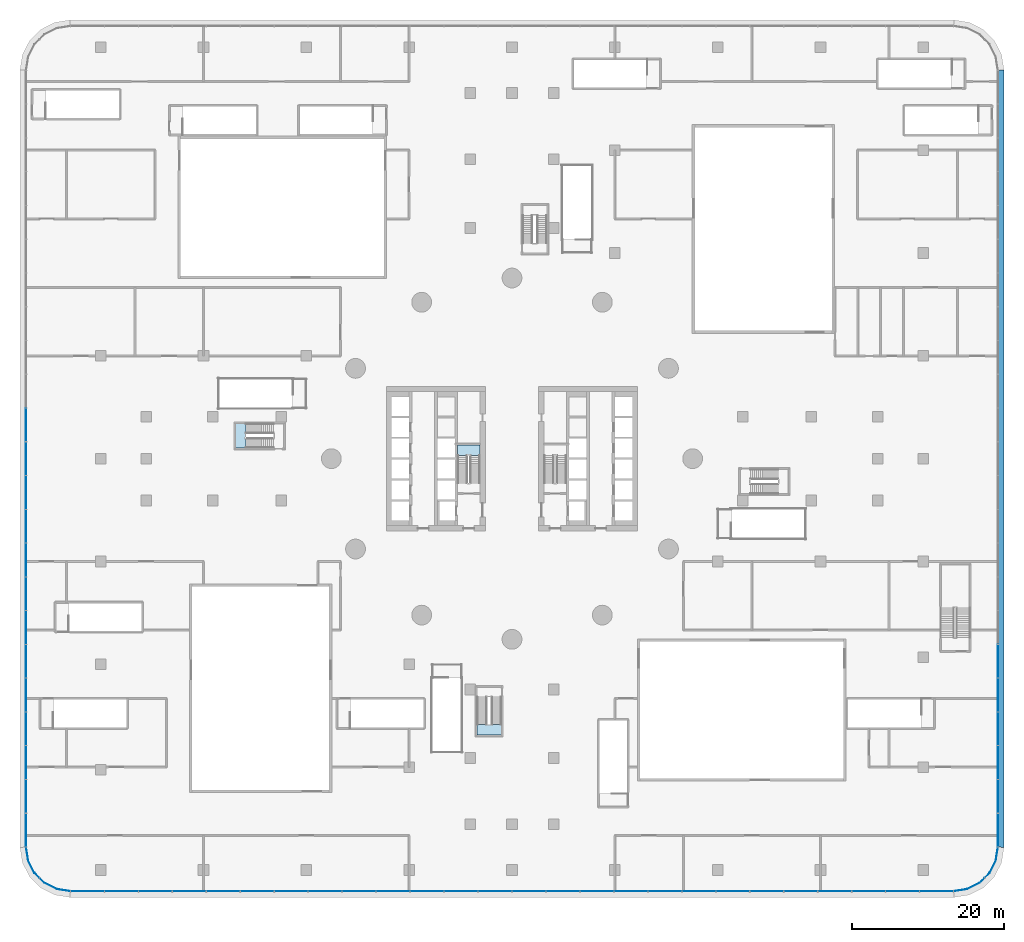
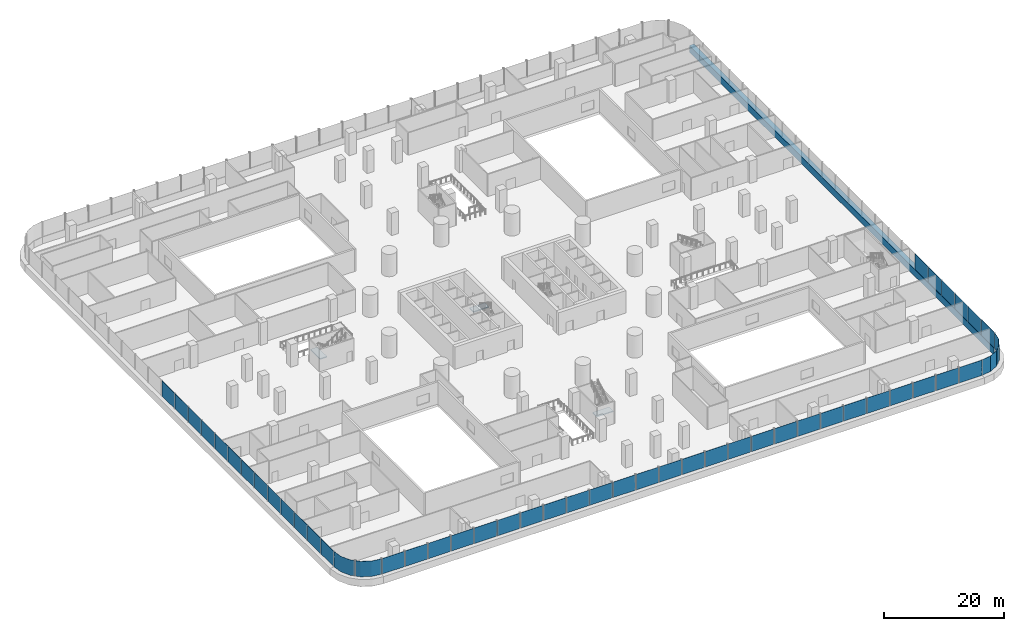
# One storey, part 20 of 38: 49 plates, 3 slabs, 1 member, 8 elements without a shape of their own.
"""IFC4 building model written with IfcOpenShell, lengths in metres."""

import ifcopenshell
import ifcopenshell.guid

model = None  # the IFC model being written
_history = None  # IfcOwnerHistory: only IFC2X3 demands one
_inside = {}  # id of a spatial element -> (the spatial element, [elements in it])
_under = {}  # id of a project, library or spatial element -> (it, [spatial elements below it])
_declared = {}  # id of a project -> (the project, [libraries it declares])
_typed = {}  # id of a type object -> (the type object, [elements of that type])
_made_of = {}  # id of a material, layer set ... -> (it, [elements and type objects made of it])


def new_model(schema):
    """Start an empty IFC model of exactly this schema.

    Asked for "IFC4X3", IfcOpenShell would pick the latest addendum, in which some entities
    have other attributes; the version numbers below select the first issue.
    IFC2X3 requires an IfcOwnerHistory on every rooted entity: one is made here for all.
    """
    global model, _history
    if schema == "IFC4X3":
        model = ifcopenshell.file(schema_version=(4, 3, 0, 0))
    else:
        model = ifcopenshell.file(schema=schema)
    _inside.clear()
    _under.clear()
    _declared.clear()
    _typed.clear()
    _made_of.clear()
    _history = None
    if model.schema == "IFC2X3":
        org = make("IfcOrganization", Name="unknown")
        user = make(
            "IfcPersonAndOrganization",
            ThePerson=make("IfcPerson", FamilyName="unknown"),
            TheOrganization=org,
        )
        app = make(
            "IfcApplication",
            ApplicationDeveloper=org,
            Version="unknown",
            ApplicationFullName="unknown",
            ApplicationIdentifier="unknown",
        )
        _history = make(
            "IfcOwnerHistory",
            OwningUser=user,
            OwningApplication=app,
            ChangeAction="ADDED",
            CreationDate=0,
        )
    return model


def make(cls, **values):
    """One entity of the class cls with the attributes given. An attribute that is None is left unset."""
    return model.create_entity(
        cls, **{name: value for name, value in values.items() if value is not None}
    )


def rooted(cls, **values):
    """An entity with a GlobalId (a new one), such as an element, a storey or a relation."""
    return make(cls, GlobalId=ifcopenshell.guid.new(), OwnerHistory=_history, **values)


def si_unit(unit_type, name, prefix=None):
    """IfcSIUnit, for example si_unit("LENGTHUNIT", "METRE", prefix="MILLI")."""
    return make("IfcSIUnit", UnitType=unit_type, Prefix=prefix, Name=name)


def assignment(units):
    """IfcUnitAssignment: the units of a project."""
    return None if units is None else make("IfcUnitAssignment", Units=units)


def point(xyz):
    """IfcCartesianPoint."""
    return None if xyz is None else make("IfcCartesianPoint", Coordinates=xyz)


def direction(xyz):
    """IfcDirection."""
    return None if xyz is None else make("IfcDirection", DirectionRatios=xyz)


def frame(location, z_axis=None, x_axis=None):
    """IfcAxis2Placement3D, a coordinate frame: its origin and axes. An axis left out is left unset."""
    return make(
        "IfcAxis2Placement3D",
        Location=point(location),
        Axis=direction(z_axis),
        RefDirection=direction(x_axis),
    )


def origin():
    """The frame at (0, 0, 0) with its axes left unset."""
    return frame((0.0, 0.0, 0.0))


def place(relative_to, where):
    """IfcLocalPlacement: puts the frame where relative to a parent placement (None: the world)."""
    return make(
        "IfcLocalPlacement", PlacementRelTo=relative_to, RelativePlacement=where
    )


def context(
    kind, dimensions, precision=None, world=None, true_north=None, identifier=None
):
    """IfcGeometricRepresentationContext, for example the 3D "Model" context."""
    return make(
        "IfcGeometricRepresentationContext",
        ContextIdentifier=identifier,
        ContextType=kind,
        CoordinateSpaceDimension=dimensions,
        Precision=precision,
        WorldCoordinateSystem=world,
        TrueNorth=true_north,
    )


def subcontext(parent, identifier, kind, view, scale=None):
    """IfcGeometricRepresentationSubContext, for example "Body" below "Model"."""
    return make(
        "IfcGeometricRepresentationSubContext",
        ContextIdentifier=identifier,
        ContextType=kind,
        ParentContext=parent,
        TargetScale=scale,
        TargetView=view,
    )


def project(units=None, contexts=None):
    """IfcProject with its units and contexts."""
    return rooted(
        "IfcProject",
        Name="project",
        RepresentationContexts=contexts,
        UnitsInContext=assignment(units),
    )


def spatial(cls, under=None, at=None, **own):
    """A site, building, storey or space (cls), placed at a placement, below another one or the project."""
    s = rooted(cls, ObjectPlacement=at, **own)
    if under is not None:
        _under.setdefault(under.id(), (under, []))[1].append(s)
    return s


def polyline(points):
    """IfcPolyline through the points."""
    return make("IfcPolyline", Points=[point(p) for p in points])


def outline(outer, holes=None, kind="AREA"):
    """IfcArbitraryClosedProfileDef: a profile drawn as a closed curve; with holes, ...WithVoids."""
    if holes is None:
        return make("IfcArbitraryClosedProfileDef", ProfileType=kind, OuterCurve=outer)
    return make(
        "IfcArbitraryProfileDefWithVoids",
        ProfileType=kind,
        OuterCurve=outer,
        InnerCurves=holes,
    )


def extrude(swept, where, along, depth):
    """IfcExtrudedAreaSolid: the profile swept, set in the frame where, extruded along a direction by depth."""
    return make(
        "IfcExtrudedAreaSolid",
        SweptArea=swept,
        Position=where,
        ExtrudedDirection=direction(along),
        Depth=depth,
    )


def shape(context_of_items, identifier, shape_type, items):
    """IfcShapeRepresentation: the items that make up one representation, for example the "Body"."""
    return make(
        "IfcShapeRepresentation",
        ContextOfItems=context_of_items,
        RepresentationIdentifier=identifier,
        RepresentationType=shape_type,
        Items=items,
    )


def material(Name=None, Category=None):
    """IfcMaterial."""
    return make("IfcMaterial", Name=Name, Category=Category)


def layer(
    of_material, thickness, ventilated=None, Name=None, Category=None, Priority=None
):
    """IfcMaterialLayer: one layer of a wall or slab, of a material (None: an air gap)."""
    return make(
        "IfcMaterialLayer",
        Material=of_material,
        LayerThickness=thickness,
        IsVentilated=ventilated,
        Name=Name,
        Category=Category,
        Priority=Priority,
    )


def layer_set(layers, Name=None):
    """IfcMaterialLayerSet."""
    return make("IfcMaterialLayerSet", MaterialLayers=layers, LayerSetName=Name)


def made_of(thing, what):
    """Note that an element or type object is made of a material, layer set ...; save() writes the relation."""
    if what is not None:
        _made_of.setdefault(what.id(), (what, []))[1].append(thing)
    return thing


def type_object(cls, material=None, **own):
    """A type object (cls), such as IfcWallType, which elements share."""
    return made_of(rooted(cls, **own), material)


def element(
    cls,
    number,
    at=None,
    inside=None,
    cuts=None,
    type_object=None,
    material=None,
    context=None,
    identifier="Body",
    shape_type=None,
    held_by="IfcProductDefinitionShape",
    body=None,
    shapes=None,
    **own,
):
    """One element of the class cls, such as IfcWall. Its Tag is "e" and its number.

    at: its placement. inside: the storey or other place that contains it. cuts: it is an
    opening in that element (IfcRelVoidsElement). A single representation is given by context,
    identifier, shape_type and body (its items); several are given by shapes. held_by: the class
    of the entity that holds the representations. save() writes the other relations.
    """
    e = rooted(cls, Tag="e%d" % number, ObjectPlacement=at, **own)
    if body is not None:
        shapes = [shape(context, identifier, shape_type, body)]
    if shapes is not None:
        e.Representation = make(held_by, Representations=shapes)
    if inside is not None:
        _inside.setdefault(inside.id(), (inside, []))[1].append(e)
    if cuts is not None:
        rooted(
            "IfcRelVoidsElement", RelatingBuildingElement=cuts, RelatedOpeningElement=e
        )
    if type_object is not None:
        _typed.setdefault(type_object.id(), (type_object, []))[1].append(e)
    return made_of(e, material)


def aggregate(whole, parts):
    """IfcRelAggregates: a whole, such as a stair, and the parts it consists of."""
    return rooted("IfcRelAggregates", RelatingObject=whole, RelatedObjects=parts)


def save(model, path):
    """Write the relations noted so far, then the file.

    IfcRelAggregates (storeys below a building ...), IfcRelContainedInSpatialStructure (elements
    in a storey), IfcRelDefinesByType, IfcRelAssociatesMaterial and IfcRelDeclares: one each for
    every whole, place, type object, material and project.
    """
    for whole, parts in _under.values():
        aggregate(whole, parts)
    for where, things in _inside.values():
        rooted(
            "IfcRelContainedInSpatialStructure",
            RelatedElements=things,
            RelatingStructure=where,
        )
    for kind, things in _typed.values():
        rooted("IfcRelDefinesByType", RelatedObjects=things, RelatingType=kind)
    for what, things in _made_of.values():
        rooted("IfcRelAssociatesMaterial", RelatedObjects=things, RelatingMaterial=what)
    for by, libraries in _declared.values():
        rooted("IfcRelDeclares", RelatingContext=by, RelatedDefinitions=libraries)
    model.write(path)


model = new_model("IFC4")

# Units and contexts
model_context = context("Model", 3, precision=1e-05, world=origin(), true_north=direction((0.0, 1.0)))
body_context = subcontext(model_context, "Body", "Model", "MODEL_VIEW")
ifc_project = project(units=[si_unit("LENGTHUNIT", "METRE"), si_unit("AREAUNIT", "SQUARE_METRE"), si_unit("VOLUMEUNIT", "CUBIC_METRE"), si_unit("PLANEANGLEUNIT", "RADIAN"), si_unit("MASSUNIT", "GRAM", prefix="KILO")], contexts=[model_context])

# Site, building, storey
site_placement = place(None, origin())
site = spatial("IfcSite", under=ifc_project, at=site_placement, CompositionType="ELEMENT")
building_placement = place(site_placement, origin())
building = spatial("IfcBuilding", under=site, at=building_placement, Name="Tamarind Cross Interchange Tower", CompositionType="ELEMENT")
storey_placement = place(building_placement, frame((0.0, 0.0, 20.0)))
storey = spatial("IfcBuildingStorey", under=building, at=storey_placement, Name="L03", CompositionType="ELEMENT", Elevation=20.0)

# Curtain wall, member
ifc_material_1 = material(Name="Aluminium 6063-T6", Category="aluminium")
ifc_layer_1 = layer(ifc_material_1, 0.199951171875)
ifc_layer_set_1 = layer_set([ifc_layer_1], Name="Aluminium 6063-T6")
curtain_wall_type = type_object("IfcCurtainWallType", Name="Podium shopfront and station curtain wall", PredefinedType="NOTDEFINED", material=ifc_layer_set_1)
curtain_wall_1_placement = place(storey_placement, origin())
curtain_wall_1 = element("IfcCurtainWall", 1, at=curtain_wall_1_placement, inside=storey, type_object=curtain_wall_type, Name="CWS-L03-00", PredefinedType="NOTDEFINED")
ifc_material_2 = material(Name="Aluminium and insulated spandrel panel", Category="aluminium")
member_type = type_object("IfcMemberType", Name="Floor-edge blade transom", PredefinedType="USERDEFINED", material=ifc_material_2)
member_placement = place(storey_placement, origin())
member = element("IfcMember", 2, at=member_placement, type_object=member_type, Name="CWT-L03-00", ObjectType="TRANSOM", PredefinedType="USERDEFINED", context=body_context, shape_type="SweptSolid", body=[
    extrude(outline(polyline([(63.699951171875, -50.976318359375), (63.699951171875, 50.976318359375), (64.60009765625, 51.047119140625), (64.60009765625, -51.047119140625), (63.699951171875, -50.976318359375)])), origin(), (0.0, 0.0, 1.0), 1.39990234375),
])

# Stair, slab
ifc_material_3 = material(Name="Exit stair")
stair_type = type_object("IfcStairType", Name="Exit stair", PredefinedType="HALF_TURN_STAIR", material=ifc_material_3)
stair_1_placement = place(storey_placement, origin())
stair_1 = element("IfcStair", 3, at=stair_1_placement, inside=storey, type_object=stair_type, Name="L03 exit stair ST1", PredefinedType="HALF_TURN_STAIR")
ifc_material_4 = material(Name="Concrete C40", Category="concrete")
ifc_layer_2 = layer(ifc_material_4, 0.199951171875)
ifc_layer_set_2 = layer_set([ifc_layer_2], Name="Concrete C40")
slab_type = type_object("IfcSlabType", Name="Stair landing", PredefinedType="LANDING", material=ifc_layer_set_2)
slab_1_placement = place(storey_placement, frame((0.0, 0.0, 2.300048828125)))
slab_1 = element("IfcSlab", 4, at=slab_1_placement, type_object=slab_type, Name="ST1 landing 1", PredefinedType="LANDING", context=body_context, shape_type="SweptSolid", body=[
    extrude(outline(polyline([(-4.199951171875, 0.43994140625), (-4.199951171875, 1.800048828125), (-7.14990234375, 1.800048828125), (-7.14990234375, 0.43994140625), (-4.199951171875, 0.43994140625)])), origin(), (0.0, 0.0, 1.0), 0.199951171875),
])
aggregate(stair_1, [slab_1])

stair_2_placement = place(storey_placement, origin())
stair_2 = element("IfcStair", 5, at=stair_2_placement, inside=storey, type_object=stair_type, Name="L03 exit stair ST5", PredefinedType="HALF_TURN_STAIR")
slab_2_placement = place(storey_placement, frame((0.0, 0.0, 2.300048828125)))
slab_2 = element("IfcSlab", 6, at=slab_2_placement, type_object=slab_type, Name="ST5 landing 1", PredefinedType="LANDING", context=body_context, shape_type="SweptSolid", body=[
    extrude(outline(polyline([(-34.927978515625, 4.60009765625), (-36.300048828125, 4.60009765625), (-36.300048828125, 1.39990234375), (-34.927978515625, 1.39990234375), (-34.927978515625, 4.60009765625)])), origin(), (0.0, 0.0, 1.0), 0.199951171875),
])
aggregate(stair_2, [slab_2])

stair_3_placement = place(storey_placement, origin())
stair_3 = element("IfcStair", 7, at=stair_3_placement, inside=storey, type_object=stair_type, Name="L03 exit stair ST6", PredefinedType="HALF_TURN_STAIR")
slab_3_placement = place(storey_placement, frame((0.0, 0.0, 2.300048828125)))
slab_3 = element("IfcSlab", 8, at=slab_3_placement, type_object=slab_type, Name="ST6 landing 1", PredefinedType="LANDING", context=body_context, shape_type="SweptSolid", body=[
    extrude(outline(polyline([(-4.60009765625, -34.927978515625), (-4.60009765625, -36.300048828125), (-1.39990234375, -36.300048828125), (-1.39990234375, -34.927978515625), (-4.60009765625, -34.927978515625)])), origin(), (0.0, 0.0, 1.0), 0.199951171875),
])
aggregate(stair_3, [slab_3])

# Plate
ifc_material_5 = material(Name="Toughened low-e glass 10+12+10", Category="glass")
ifc_layer_3 = layer(ifc_material_5, 0.031982421875)
ifc_layer_set_3 = layer_set([ifc_layer_3], Name="Toughened low-e glass 10+12+10")
plate_type = type_object("IfcPlateType", Name="Vision panel CW3", PredefinedType="CURTAIN_PANEL", material=ifc_layer_set_3)
plate_1_placement = place(storey_placement, frame((0.0, 0.0, 1.39990234375)))
plate_1 = element("IfcPlate", 9, at=plate_1_placement, type_object=plate_type, Name="CWP-L03-00-00", PredefinedType="CURTAIN_PANEL", context=body_context, shape_type="SweptSolid", body=[
    extrude(outline(polyline([(63.783935546875, -50.9443359375), (63.783935546875, -46.5908203125), (63.81591796875, -46.5908203125), (63.81591796875, -50.9443359375), (63.783935546875, -50.9443359375)])), origin(), (0.0, 0.0, 1.0), 3.150146484375),
])

plate_2_placement = place(storey_placement, frame((0.0, 0.0, 1.39990234375)))
plate_2 = element("IfcPlate", 10, at=plate_2_placement, type_object=plate_type, Name="CWP-L03-00-01", PredefinedType="CURTAIN_PANEL", context=body_context, shape_type="SweptSolid", body=[
    extrude(outline(polyline([(63.783935546875, -46.5107421875), (63.783935546875, -42.157470703125), (63.81591796875, -42.157470703125), (63.81591796875, -46.5107421875), (63.783935546875, -46.5107421875)])), origin(), (0.0, 0.0, 1.0), 3.150146484375),
])

plate_3_placement = place(storey_placement, frame((0.0, 0.0, 1.39990234375)))
plate_3 = element("IfcPlate", 11, at=plate_3_placement, type_object=plate_type, Name="CWP-L03-00-02", PredefinedType="CURTAIN_PANEL", context=body_context, shape_type="SweptSolid", body=[
    extrude(outline(polyline([(63.783935546875, -42.077392578125), (63.783935546875, -37.72412109375), (63.81591796875, -37.72412109375), (63.81591796875, -42.077392578125), (63.783935546875, -42.077392578125)])), origin(), (0.0, 0.0, 1.0), 3.150146484375),
])

plate_4_placement = place(storey_placement, frame((0.0, 0.0, 1.39990234375)))
plate_4 = element("IfcPlate", 12, at=plate_4_placement, type_object=plate_type, Name="CWP-L03-00-03", PredefinedType="CURTAIN_PANEL", context=body_context, shape_type="SweptSolid", body=[
    extrude(outline(polyline([(63.783935546875, -37.64404296875), (63.783935546875, -33.29052734375), (63.81591796875, -33.29052734375), (63.81591796875, -37.64404296875), (63.783935546875, -37.64404296875)])), origin(), (0.0, 0.0, 1.0), 3.150146484375),
])

plate_5_placement = place(storey_placement, frame((0.0, 0.0, 1.39990234375)))
plate_5 = element("IfcPlate", 13, at=plate_5_placement, type_object=plate_type, Name="CWP-L03-00-04", PredefinedType="CURTAIN_PANEL", context=body_context, shape_type="SweptSolid", body=[
    extrude(outline(polyline([(63.783935546875, -33.210693359375), (63.783935546875, -28.857177734375), (63.81591796875, -28.857177734375), (63.81591796875, -33.210693359375), (63.783935546875, -33.210693359375)])), origin(), (0.0, 0.0, 1.0), 3.150146484375),
])

plate_6_placement = place(storey_placement, frame((0.0, 0.0, 1.39990234375)))
plate_6 = element("IfcPlate", 14, at=plate_6_placement, type_object=plate_type, Name="CWP-L03-00-05", PredefinedType="CURTAIN_PANEL", context=body_context, shape_type="SweptSolid", body=[
    extrude(outline(polyline([(63.783935546875, -28.777099609375), (63.783935546875, -24.423828125), (63.81591796875, -24.423828125), (63.81591796875, -28.777099609375), (63.783935546875, -28.777099609375)])), origin(), (0.0, 0.0, 1.0), 3.150146484375),
])

aggregate(curtain_wall_1, [plate_1, plate_2, plate_3, plate_4, plate_5, plate_6, member])

# Curtain wall, plates
curtain_wall_2_placement = place(storey_placement, origin())
curtain_wall_2 = element("IfcCurtainWall", 15, at=curtain_wall_2_placement, inside=storey, type_object=curtain_wall_type, Name="CWS-L03-04", PredefinedType="NOTDEFINED")
plate_7_placement = place(storey_placement, frame((0.0, 0.0, 1.39990234375)))
plate_7 = element("IfcPlate", 16, at=plate_7_placement, type_object=plate_type, Name="CWP-L03-04-10", PredefinedType="CURTAIN_PANEL", context=body_context, shape_type="SweptSolid", body=[
    extrude(outline(polyline([(-63.783935546875, 6.610107421875), (-63.783935546875, 2.256591796875), (-63.81591796875, 2.256591796875), (-63.81591796875, 6.610107421875), (-63.783935546875, 6.610107421875)])), origin(), (0.0, 0.0, 1.0), 3.150146484375),
])
plate_8_placement = place(storey_placement, frame((0.0, 0.0, 1.39990234375)))
plate_8 = element("IfcPlate", 17, at=plate_8_placement, type_object=plate_type, Name="CWP-L03-04-11", PredefinedType="CURTAIN_PANEL", context=body_context, shape_type="SweptSolid", body=[
    extrude(outline(polyline([(-63.783935546875, 2.1767578125), (-63.783935546875, -2.1767578125), (-63.81591796875, -2.1767578125), (-63.81591796875, 2.1767578125), (-63.783935546875, 2.1767578125)])), origin(), (0.0, 0.0, 1.0), 3.150146484375),
])
plate_9_placement = place(storey_placement, frame((0.0, 0.0, 1.39990234375)))
plate_9 = element("IfcPlate", 18, at=plate_9_placement, type_object=plate_type, Name="CWP-L03-04-12", PredefinedType="CURTAIN_PANEL", context=body_context, shape_type="SweptSolid", body=[
    extrude(outline(polyline([(-63.783935546875, -2.256591796875), (-63.783935546875, -6.610107421875), (-63.81591796875, -6.610107421875), (-63.81591796875, -2.256591796875), (-63.783935546875, -2.256591796875)])), origin(), (0.0, 0.0, 1.0), 3.150146484375),
])
plate_10_placement = place(storey_placement, frame((0.0, 0.0, 1.39990234375)))
plate_10 = element("IfcPlate", 19, at=plate_10_placement, type_object=plate_type, Name="CWP-L03-04-13", PredefinedType="CURTAIN_PANEL", context=body_context, shape_type="SweptSolid", body=[
    extrude(outline(polyline([(-63.783935546875, -6.690185546875), (-63.783935546875, -11.04345703125), (-63.81591796875, -11.04345703125), (-63.81591796875, -6.690185546875), (-63.783935546875, -6.690185546875)])), origin(), (0.0, 0.0, 1.0), 3.150146484375),
])
plate_11_placement = place(storey_placement, frame((0.0, 0.0, 1.39990234375)))
plate_11 = element("IfcPlate", 20, at=plate_11_placement, type_object=plate_type, Name="CWP-L03-04-14", PredefinedType="CURTAIN_PANEL", context=body_context, shape_type="SweptSolid", body=[
    extrude(outline(polyline([(-63.783935546875, -11.12353515625), (-63.783935546875, -15.47705078125), (-63.81591796875, -15.47705078125), (-63.81591796875, -11.12353515625), (-63.783935546875, -11.12353515625)])), origin(), (0.0, 0.0, 1.0), 3.150146484375),
])
plate_12_placement = place(storey_placement, frame((0.0, 0.0, 1.39990234375)))
plate_12 = element("IfcPlate", 21, at=plate_12_placement, type_object=plate_type, Name="CWP-L03-04-15", PredefinedType="CURTAIN_PANEL", context=body_context, shape_type="SweptSolid", body=[
    extrude(outline(polyline([(-63.783935546875, -15.556884765625), (-63.783935546875, -19.910400390625), (-63.81591796875, -19.910400390625), (-63.81591796875, -15.556884765625), (-63.783935546875, -15.556884765625)])), origin(), (0.0, 0.0, 1.0), 3.150146484375),
])
plate_13_placement = place(storey_placement, frame((0.0, 0.0, 1.39990234375)))
plate_13 = element("IfcPlate", 22, at=plate_13_placement, type_object=plate_type, Name="CWP-L03-04-16", PredefinedType="CURTAIN_PANEL", context=body_context, shape_type="SweptSolid", body=[
    extrude(outline(polyline([(-63.783935546875, -19.990478515625), (-63.783935546875, -24.34375), (-63.81591796875, -24.34375), (-63.81591796875, -19.990478515625), (-63.783935546875, -19.990478515625)])), origin(), (0.0, 0.0, 1.0), 3.150146484375),
])
plate_14_placement = place(storey_placement, frame((0.0, 0.0, 1.39990234375)))
plate_14 = element("IfcPlate", 23, at=plate_14_placement, type_object=plate_type, Name="CWP-L03-04-17", PredefinedType="CURTAIN_PANEL", context=body_context, shape_type="SweptSolid", body=[
    extrude(outline(polyline([(-63.783935546875, -24.423828125), (-63.783935546875, -28.777099609375), (-63.81591796875, -28.777099609375), (-63.81591796875, -24.423828125), (-63.783935546875, -24.423828125)])), origin(), (0.0, 0.0, 1.0), 3.150146484375),
])
plate_15_placement = place(storey_placement, frame((0.0, 0.0, 1.39990234375)))
plate_15 = element("IfcPlate", 24, at=plate_15_placement, type_object=plate_type, Name="CWP-L03-04-18", PredefinedType="CURTAIN_PANEL", context=body_context, shape_type="SweptSolid", body=[
    extrude(outline(polyline([(-63.783935546875, -28.857177734375), (-63.783935546875, -33.210693359375), (-63.81591796875, -33.210693359375), (-63.81591796875, -28.857177734375), (-63.783935546875, -28.857177734375)])), origin(), (0.0, 0.0, 1.0), 3.150146484375),
])
plate_16_placement = place(storey_placement, frame((0.0, 0.0, 1.39990234375)))
plate_16 = element("IfcPlate", 25, at=plate_16_placement, type_object=plate_type, Name="CWP-L03-04-19", PredefinedType="CURTAIN_PANEL", context=body_context, shape_type="SweptSolid", body=[
    extrude(outline(polyline([(-63.783935546875, -33.29052734375), (-63.783935546875, -37.64404296875), (-63.81591796875, -37.64404296875), (-63.81591796875, -33.29052734375), (-63.783935546875, -33.29052734375)])), origin(), (0.0, 0.0, 1.0), 3.150146484375),
])
plate_17_placement = place(storey_placement, frame((0.0, 0.0, 1.39990234375)))
plate_17 = element("IfcPlate", 26, at=plate_17_placement, type_object=plate_type, Name="CWP-L03-04-20", PredefinedType="CURTAIN_PANEL", context=body_context, shape_type="SweptSolid", body=[
    extrude(outline(polyline([(-63.783935546875, -37.72412109375), (-63.783935546875, -42.077392578125), (-63.81591796875, -42.077392578125), (-63.81591796875, -37.72412109375), (-63.783935546875, -37.72412109375)])), origin(), (0.0, 0.0, 1.0), 3.150146484375),
])
plate_18_placement = place(storey_placement, frame((0.0, 0.0, 1.39990234375)))
plate_18 = element("IfcPlate", 27, at=plate_18_placement, type_object=plate_type, Name="CWP-L03-04-21", PredefinedType="CURTAIN_PANEL", context=body_context, shape_type="SweptSolid", body=[
    extrude(outline(polyline([(-63.783935546875, -42.157470703125), (-63.783935546875, -46.5107421875), (-63.81591796875, -46.5107421875), (-63.81591796875, -42.157470703125), (-63.783935546875, -42.157470703125)])), origin(), (0.0, 0.0, 1.0), 3.150146484375),
])
plate_19_placement = place(storey_placement, frame((0.0, 0.0, 1.39990234375)))
plate_19 = element("IfcPlate", 28, at=plate_19_placement, type_object=plate_type, Name="CWP-L03-04-22", PredefinedType="CURTAIN_PANEL", context=body_context, shape_type="SweptSolid", body=[
    extrude(outline(polyline([(-63.783935546875, -46.5908203125), (-63.783935546875, -50.9443359375), (-63.81591796875, -50.9443359375), (-63.81591796875, -46.5908203125), (-63.783935546875, -46.5908203125)])), origin(), (0.0, 0.0, 1.0), 3.150146484375),
])
aggregate(curtain_wall_2, [plate_7, plate_8, plate_9, plate_10, plate_11, plate_12, plate_13, plate_14, plate_15, plate_16, plate_17, plate_18, plate_19])

curtain_wall_3_placement = place(storey_placement, origin())
curtain_wall_3 = element("IfcCurtainWall", 29, at=curtain_wall_3_placement, inside=storey, type_object=curtain_wall_type, Name="CWS-L03-05", PredefinedType="NOTDEFINED")
plate_20_placement = place(storey_placement, frame((0.0, 0.0, 1.39990234375)))
plate_20 = element("IfcPlate", 30, at=plate_20_placement, type_object=plate_type, Name="CWP-L03-05-00", PredefinedType="CURTAIN_PANEL", context=body_context, shape_type="SweptSolid", body=[
    extrude(outline(polyline([(-63.77783203125, -51.021240234375), (-63.498291015625, -52.78662109375), (-62.67724609375, -54.398193359375), (-62.06591796875, -55.00927734375), (-62.088623046875, -55.031982421875), (-62.703369140625, -54.417236328125), (-63.529052734375, -52.796630859375), (-63.8095703125, -51.0263671875), (-63.77783203125, -51.021240234375)])), origin(), (0.0, 0.0, 1.0), 3.150146484375),
])
plate_21_placement = place(storey_placement, frame((0.0, 0.0, 1.39990234375)))
plate_21 = element("IfcPlate", 31, at=plate_21_placement, type_object=plate_type, Name="CWP-L03-05-01", PredefinedType="CURTAIN_PANEL", context=body_context, shape_type="SweptSolid", body=[
    extrude(outline(polyline([(-62.00927734375, -55.06591796875), (-61.398193359375, -55.67724609375), (-59.78662109375, -56.498291015625), (-58.021240234375, -56.77783203125), (-58.0263671875, -56.8095703125), (-59.796630859375, -56.529052734375), (-61.417236328125, -55.703369140625), (-62.031982421875, -55.088623046875), (-62.00927734375, -55.06591796875)])), origin(), (0.0, 0.0, 1.0), 3.150146484375),
])
aggregate(curtain_wall_3, [plate_20, plate_21])

curtain_wall_4_placement = place(storey_placement, origin())
curtain_wall_4 = element("IfcCurtainWall", 32, at=curtain_wall_4_placement, inside=storey, type_object=curtain_wall_type, Name="CWS-L03-06", PredefinedType="NOTDEFINED")
plate_22_placement = place(storey_placement, frame((0.0, 0.0, 1.39990234375)))
plate_22 = element("IfcPlate", 33, at=plate_22_placement, type_object=plate_type, Name="CWP-L03-06-00", PredefinedType="CURTAIN_PANEL", context=body_context, shape_type="SweptSolid", body=[
    extrude(outline(polyline([(-57.9443359375, -56.783935546875), (-53.56396484375, -56.783935546875), (-53.56396484375, -56.81591796875), (-57.9443359375, -56.81591796875), (-57.9443359375, -56.783935546875)])), origin(), (0.0, 0.0, 1.0), 3.150146484375),
])
plate_23_placement = place(storey_placement, frame((0.0, 0.0, 1.39990234375)))
plate_23 = element("IfcPlate", 34, at=plate_23_placement, type_object=plate_type, Name="CWP-L03-06-01", PredefinedType="CURTAIN_PANEL", context=body_context, shape_type="SweptSolid", body=[
    extrude(outline(polyline([(-53.48388671875, -56.783935546875), (-49.103515625, -56.783935546875), (-49.103515625, -56.81591796875), (-53.48388671875, -56.81591796875), (-53.48388671875, -56.783935546875)])), origin(), (0.0, 0.0, 1.0), 3.150146484375),
])
plate_24_placement = place(storey_placement, frame((0.0, 0.0, 1.39990234375)))
plate_24 = element("IfcPlate", 35, at=plate_24_placement, type_object=plate_type, Name="CWP-L03-06-02", PredefinedType="CURTAIN_PANEL", context=body_context, shape_type="SweptSolid", body=[
    extrude(outline(polyline([(-49.023681640625, -56.783935546875), (-44.643310546875, -56.783935546875), (-44.643310546875, -56.81591796875), (-49.023681640625, -56.81591796875), (-49.023681640625, -56.783935546875)])), origin(), (0.0, 0.0, 1.0), 3.150146484375),
])
plate_25_placement = place(storey_placement, frame((0.0, 0.0, 1.39990234375)))
plate_25 = element("IfcPlate", 36, at=plate_25_placement, type_object=plate_type, Name="CWP-L03-06-03", PredefinedType="CURTAIN_PANEL", context=body_context, shape_type="SweptSolid", body=[
    extrude(outline(polyline([(-44.563232421875, -56.783935546875), (-40.182861328125, -56.783935546875), (-40.182861328125, -56.81591796875), (-44.563232421875, -56.81591796875), (-44.563232421875, -56.783935546875)])), origin(), (0.0, 0.0, 1.0), 3.150146484375),
])
plate_26_placement = place(storey_placement, frame((0.0, 0.0, 1.39990234375)))
plate_26 = element("IfcPlate", 37, at=plate_26_placement, type_object=plate_type, Name="CWP-L03-06-04", PredefinedType="CURTAIN_PANEL", context=body_context, shape_type="SweptSolid", body=[
    extrude(outline(polyline([(-40.10302734375, -56.783935546875), (-35.72265625, -56.783935546875), (-35.72265625, -56.81591796875), (-40.10302734375, -56.81591796875), (-40.10302734375, -56.783935546875)])), origin(), (0.0, 0.0, 1.0), 3.150146484375),
])
plate_27_placement = place(storey_placement, frame((0.0, 0.0, 1.39990234375)))
plate_27 = element("IfcPlate", 38, at=plate_27_placement, type_object=plate_type, Name="CWP-L03-06-05", PredefinedType="CURTAIN_PANEL", context=body_context, shape_type="SweptSolid", body=[
    extrude(outline(polyline([(-35.642578125, -56.783935546875), (-31.26220703125, -56.783935546875), (-31.26220703125, -56.81591796875), (-35.642578125, -56.81591796875), (-35.642578125, -56.783935546875)])), origin(), (0.0, 0.0, 1.0), 3.150146484375),
])
plate_28_placement = place(storey_placement, frame((0.0, 0.0, 1.39990234375)))
plate_28 = element("IfcPlate", 39, at=plate_28_placement, type_object=plate_type, Name="CWP-L03-06-06", PredefinedType="CURTAIN_PANEL", context=body_context, shape_type="SweptSolid", body=[
    extrude(outline(polyline([(-31.182373046875, -56.783935546875), (-26.802001953125, -56.783935546875), (-26.802001953125, -56.81591796875), (-31.182373046875, -56.81591796875), (-31.182373046875, -56.783935546875)])), origin(), (0.0, 0.0, 1.0), 3.150146484375),
])
plate_29_placement = place(storey_placement, frame((0.0, 0.0, 1.39990234375)))
plate_29 = element("IfcPlate", 40, at=plate_29_placement, type_object=plate_type, Name="CWP-L03-06-07", PredefinedType="CURTAIN_PANEL", context=body_context, shape_type="SweptSolid", body=[
    extrude(outline(polyline([(-26.721923828125, -56.783935546875), (-22.341552734375, -56.783935546875), (-22.341552734375, -56.81591796875), (-26.721923828125, -56.81591796875), (-26.721923828125, -56.783935546875)])), origin(), (0.0, 0.0, 1.0), 3.150146484375),
])
plate_30_placement = place(storey_placement, frame((0.0, 0.0, 1.39990234375)))
plate_30 = element("IfcPlate", 41, at=plate_30_placement, type_object=plate_type, Name="CWP-L03-06-08", PredefinedType="CURTAIN_PANEL", context=body_context, shape_type="SweptSolid", body=[
    extrude(outline(polyline([(-22.26171875, -56.783935546875), (-17.88134765625, -56.783935546875), (-17.88134765625, -56.81591796875), (-22.26171875, -56.81591796875), (-22.26171875, -56.783935546875)])), origin(), (0.0, 0.0, 1.0), 3.150146484375),
])
plate_31_placement = place(storey_placement, frame((0.0, 0.0, 1.39990234375)))
plate_31 = element("IfcPlate", 42, at=plate_31_placement, type_object=plate_type, Name="CWP-L03-06-09", PredefinedType="CURTAIN_PANEL", context=body_context, shape_type="SweptSolid", body=[
    extrude(outline(polyline([(-17.80126953125, -56.783935546875), (-13.4208984375, -56.783935546875), (-13.4208984375, -56.81591796875), (-17.80126953125, -56.81591796875), (-17.80126953125, -56.783935546875)])), origin(), (0.0, 0.0, 1.0), 3.150146484375),
])
plate_32_placement = place(storey_placement, frame((0.0, 0.0, 1.39990234375)))
plate_32 = element("IfcPlate", 43, at=plate_32_placement, type_object=plate_type, Name="CWP-L03-06-10", PredefinedType="CURTAIN_PANEL", context=body_context, shape_type="SweptSolid", body=[
    extrude(outline(polyline([(-13.341064453125, -56.783935546875), (-8.960693359375, -56.783935546875), (-8.960693359375, -56.81591796875), (-13.341064453125, -56.81591796875), (-13.341064453125, -56.783935546875)])), origin(), (0.0, 0.0, 1.0), 3.150146484375),
])
plate_33_placement = place(storey_placement, frame((0.0, 0.0, 1.39990234375)))
plate_33 = element("IfcPlate", 44, at=plate_33_placement, type_object=plate_type, Name="CWP-L03-06-11", PredefinedType="CURTAIN_PANEL", context=body_context, shape_type="SweptSolid", body=[
    extrude(outline(polyline([(-8.880615234375, -56.783935546875), (-4.500244140625, -56.783935546875), (-4.500244140625, -56.81591796875), (-8.880615234375, -56.81591796875), (-8.880615234375, -56.783935546875)])), origin(), (0.0, 0.0, 1.0), 3.150146484375),
])
plate_34_placement = place(storey_placement, frame((0.0, 0.0, 1.39990234375)))
plate_34 = element("IfcPlate", 45, at=plate_34_placement, type_object=plate_type, Name="CWP-L03-06-12", PredefinedType="CURTAIN_PANEL", context=body_context, shape_type="SweptSolid", body=[
    extrude(outline(polyline([(-4.42041015625, -56.783935546875), (-0.0400390625, -56.783935546875), (-0.0400390625, -56.81591796875), (-4.42041015625, -56.81591796875), (-4.42041015625, -56.783935546875)])), origin(), (0.0, 0.0, 1.0), 3.150146484375),
])
plate_35_placement = place(storey_placement, frame((0.0, 0.0, 1.39990234375)))
plate_35 = element("IfcPlate", 46, at=plate_35_placement, type_object=plate_type, Name="CWP-L03-06-13", PredefinedType="CURTAIN_PANEL", context=body_context, shape_type="SweptSolid", body=[
    extrude(outline(polyline([(0.0400390625, -56.783935546875), (4.42041015625, -56.783935546875), (4.42041015625, -56.81591796875), (0.0400390625, -56.81591796875), (0.0400390625, -56.783935546875)])), origin(), (0.0, 0.0, 1.0), 3.150146484375),
])
plate_36_placement = place(storey_placement, frame((0.0, 0.0, 1.39990234375)))
plate_36 = element("IfcPlate", 47, at=plate_36_placement, type_object=plate_type, Name="CWP-L03-06-14", PredefinedType="CURTAIN_PANEL", context=body_context, shape_type="SweptSolid", body=[
    extrude(outline(polyline([(4.500244140625, -56.783935546875), (8.880615234375, -56.783935546875), (8.880615234375, -56.81591796875), (4.500244140625, -56.81591796875), (4.500244140625, -56.783935546875)])), origin(), (0.0, 0.0, 1.0), 3.150146484375),
])
plate_37_placement = place(storey_placement, frame((0.0, 0.0, 1.39990234375)))
plate_37 = element("IfcPlate", 48, at=plate_37_placement, type_object=plate_type, Name="CWP-L03-06-15", PredefinedType="CURTAIN_PANEL", context=body_context, shape_type="SweptSolid", body=[
    extrude(outline(polyline([(8.960693359375, -56.783935546875), (13.341064453125, -56.783935546875), (13.341064453125, -56.81591796875), (8.960693359375, -56.81591796875), (8.960693359375, -56.783935546875)])), origin(), (0.0, 0.0, 1.0), 3.150146484375),
])
plate_38_placement = place(storey_placement, frame((0.0, 0.0, 1.39990234375)))
plate_38 = element("IfcPlate", 49, at=plate_38_placement, type_object=plate_type, Name="CWP-L03-06-16", PredefinedType="CURTAIN_PANEL", context=body_context, shape_type="SweptSolid", body=[
    extrude(outline(polyline([(13.4208984375, -56.783935546875), (17.80126953125, -56.783935546875), (17.80126953125, -56.81591796875), (13.4208984375, -56.81591796875), (13.4208984375, -56.783935546875)])), origin(), (0.0, 0.0, 1.0), 3.150146484375),
])
plate_39_placement = place(storey_placement, frame((0.0, 0.0, 1.39990234375)))
plate_39 = element("IfcPlate", 50, at=plate_39_placement, type_object=plate_type, Name="CWP-L03-06-17", PredefinedType="CURTAIN_PANEL", context=body_context, shape_type="SweptSolid", body=[
    extrude(outline(polyline([(17.88134765625, -56.783935546875), (22.26171875, -56.783935546875), (22.26171875, -56.81591796875), (17.88134765625, -56.81591796875), (17.88134765625, -56.783935546875)])), origin(), (0.0, 0.0, 1.0), 3.150146484375),
])
plate_40_placement = place(storey_placement, frame((0.0, 0.0, 1.39990234375)))
plate_40 = element("IfcPlate", 51, at=plate_40_placement, type_object=plate_type, Name="CWP-L03-06-18", PredefinedType="CURTAIN_PANEL", context=body_context, shape_type="SweptSolid", body=[
    extrude(outline(polyline([(22.341552734375, -56.783935546875), (26.721923828125, -56.783935546875), (26.721923828125, -56.81591796875), (22.341552734375, -56.81591796875), (22.341552734375, -56.783935546875)])), origin(), (0.0, 0.0, 1.0), 3.150146484375),
])
plate_41_placement = place(storey_placement, frame((0.0, 0.0, 1.39990234375)))
plate_41 = element("IfcPlate", 52, at=plate_41_placement, type_object=plate_type, Name="CWP-L03-06-19", PredefinedType="CURTAIN_PANEL", context=body_context, shape_type="SweptSolid", body=[
    extrude(outline(polyline([(26.802001953125, -56.783935546875), (31.182373046875, -56.783935546875), (31.182373046875, -56.81591796875), (26.802001953125, -56.81591796875), (26.802001953125, -56.783935546875)])), origin(), (0.0, 0.0, 1.0), 3.150146484375),
])
plate_42_placement = place(storey_placement, frame((0.0, 0.0, 1.39990234375)))
plate_42 = element("IfcPlate", 53, at=plate_42_placement, type_object=plate_type, Name="CWP-L03-06-20", PredefinedType="CURTAIN_PANEL", context=body_context, shape_type="SweptSolid", body=[
    extrude(outline(polyline([(31.26220703125, -56.783935546875), (35.642578125, -56.783935546875), (35.642578125, -56.81591796875), (31.26220703125, -56.81591796875), (31.26220703125, -56.783935546875)])), origin(), (0.0, 0.0, 1.0), 3.150146484375),
])
plate_43_placement = place(storey_placement, frame((0.0, 0.0, 1.39990234375)))
plate_43 = element("IfcPlate", 54, at=plate_43_placement, type_object=plate_type, Name="CWP-L03-06-21", PredefinedType="CURTAIN_PANEL", context=body_context, shape_type="SweptSolid", body=[
    extrude(outline(polyline([(35.72265625, -56.783935546875), (40.10302734375, -56.783935546875), (40.10302734375, -56.81591796875), (35.72265625, -56.81591796875), (35.72265625, -56.783935546875)])), origin(), (0.0, 0.0, 1.0), 3.150146484375),
])
plate_44_placement = place(storey_placement, frame((0.0, 0.0, 1.39990234375)))
plate_44 = element("IfcPlate", 55, at=plate_44_placement, type_object=plate_type, Name="CWP-L03-06-22", PredefinedType="CURTAIN_PANEL", context=body_context, shape_type="SweptSolid", body=[
    extrude(outline(polyline([(40.182861328125, -56.783935546875), (44.563232421875, -56.783935546875), (44.563232421875, -56.81591796875), (40.182861328125, -56.81591796875), (40.182861328125, -56.783935546875)])), origin(), (0.0, 0.0, 1.0), 3.150146484375),
])
plate_45_placement = place(storey_placement, frame((0.0, 0.0, 1.39990234375)))
plate_45 = element("IfcPlate", 56, at=plate_45_placement, type_object=plate_type, Name="CWP-L03-06-23", PredefinedType="CURTAIN_PANEL", context=body_context, shape_type="SweptSolid", body=[
    extrude(outline(polyline([(44.643310546875, -56.783935546875), (49.023681640625, -56.783935546875), (49.023681640625, -56.81591796875), (44.643310546875, -56.81591796875), (44.643310546875, -56.783935546875)])), origin(), (0.0, 0.0, 1.0), 3.150146484375),
])
plate_46_placement = place(storey_placement, frame((0.0, 0.0, 1.39990234375)))
plate_46 = element("IfcPlate", 57, at=plate_46_placement, type_object=plate_type, Name="CWP-L03-06-24", PredefinedType="CURTAIN_PANEL", context=body_context, shape_type="SweptSolid", body=[
    extrude(outline(polyline([(49.103515625, -56.783935546875), (53.48388671875, -56.783935546875), (53.48388671875, -56.81591796875), (49.103515625, -56.81591796875), (49.103515625, -56.783935546875)])), origin(), (0.0, 0.0, 1.0), 3.150146484375),
])
plate_47_placement = place(storey_placement, frame((0.0, 0.0, 1.39990234375)))
plate_47 = element("IfcPlate", 58, at=plate_47_placement, type_object=plate_type, Name="CWP-L03-06-25", PredefinedType="CURTAIN_PANEL", context=body_context, shape_type="SweptSolid", body=[
    extrude(outline(polyline([(53.56396484375, -56.783935546875), (57.9443359375, -56.783935546875), (57.9443359375, -56.81591796875), (53.56396484375, -56.81591796875), (53.56396484375, -56.783935546875)])), origin(), (0.0, 0.0, 1.0), 3.150146484375),
])
aggregate(curtain_wall_4, [plate_22, plate_23, plate_24, plate_25, plate_26, plate_27, plate_28, plate_29, plate_30, plate_31, plate_32, plate_33, plate_34, plate_35, plate_36, plate_37, plate_38, plate_39, plate_40, plate_41, plate_42, plate_43, plate_44, plate_45, plate_46, plate_47])

curtain_wall_5_placement = place(storey_placement, origin())
curtain_wall_5 = element("IfcCurtainWall", 59, at=curtain_wall_5_placement, inside=storey, type_object=curtain_wall_type, Name="CWS-L03-07", PredefinedType="NOTDEFINED")
plate_48_placement = place(storey_placement, frame((0.0, 0.0, 1.39990234375)))
plate_48 = element("IfcPlate", 60, at=plate_48_placement, type_object=plate_type, Name="CWP-L03-07-00", PredefinedType="CURTAIN_PANEL", context=body_context, shape_type="SweptSolid", body=[
    extrude(outline(polyline([(58.021240234375, -56.77783203125), (59.78662109375, -56.498291015625), (61.398193359375, -55.67724609375), (62.00927734375, -55.06591796875), (62.031982421875, -55.088623046875), (61.417236328125, -55.703369140625), (59.796630859375, -56.529052734375), (58.0263671875, -56.8095703125), (58.021240234375, -56.77783203125)])), origin(), (0.0, 0.0, 1.0), 3.150146484375),
])
plate_49_placement = place(storey_placement, frame((0.0, 0.0, 1.39990234375)))
plate_49 = element("IfcPlate", 61, at=plate_49_placement, type_object=plate_type, Name="CWP-L03-07-01", PredefinedType="CURTAIN_PANEL", context=body_context, shape_type="SweptSolid", body=[
    extrude(outline(polyline([(62.06591796875, -55.00927734375), (62.67724609375, -54.398193359375), (63.498291015625, -52.78662109375), (63.77783203125, -51.021240234375), (63.8095703125, -51.0263671875), (63.529052734375, -52.796630859375), (62.703369140625, -54.417236328125), (62.088623046875, -55.031982421875), (62.06591796875, -55.00927734375)])), origin(), (0.0, 0.0, 1.0), 3.150146484375),
])
aggregate(curtain_wall_5, [plate_48, plate_49])

save(model, "model.ifc")
